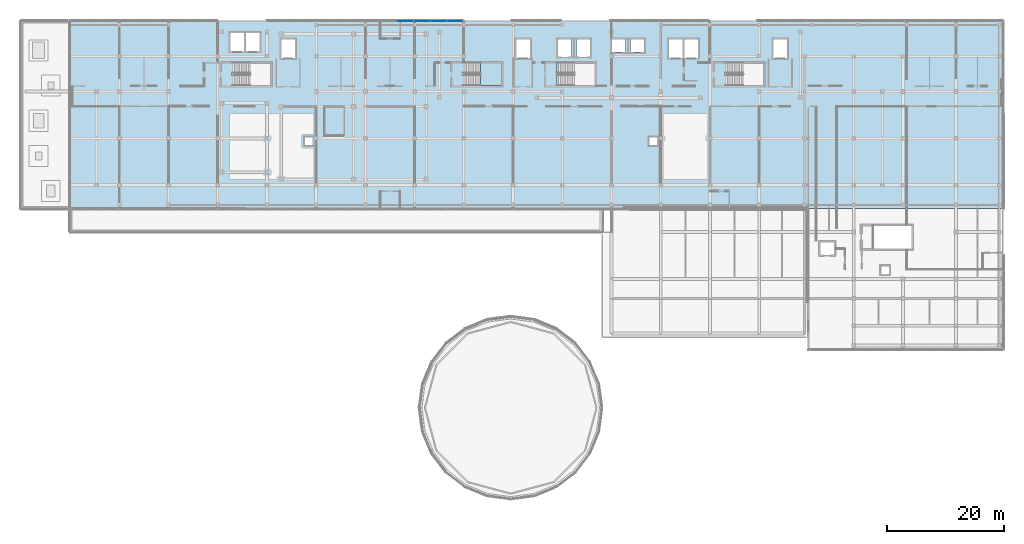
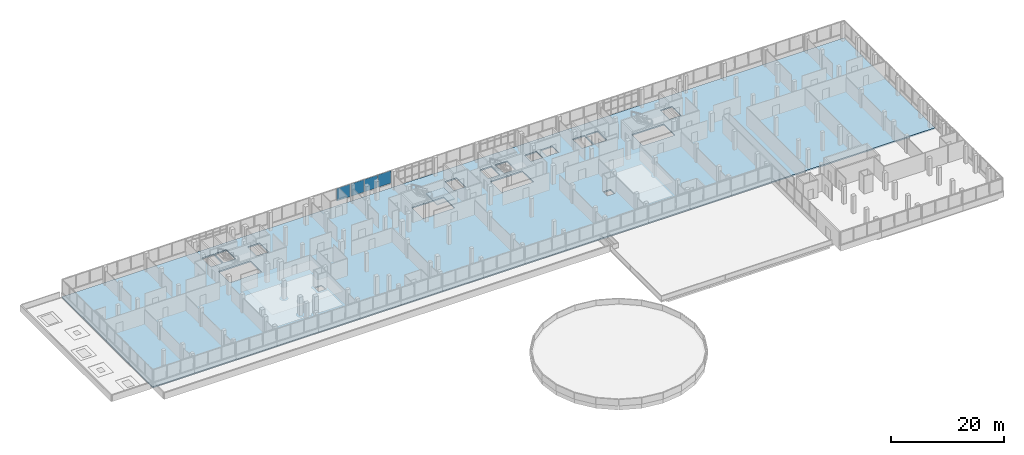
# One storey, part 61 of 78: 4 plates, 2 slabs, 3 elements without a shape of their own.
"""IFC4 building model written with IfcOpenShell, lengths in metres."""

from ifc_helpers import new_model, si_unit, direction, frame, origin, origin_2d, place, context, subcontext, project, spatial, polyline, rectangle, outline, extrude, material, layer, layer_set, type_object, element, aggregate, save


model = new_model("IFC4")

# Units and contexts
model_context = context("Model", 3, precision=1e-05, world=origin(), true_north=direction((0.0, 1.0)))
body_context = subcontext(model_context, "Body", "Model", "MODEL_VIEW")
ifc_project = project(units=[si_unit("LENGTHUNIT", "METRE"), si_unit("AREAUNIT", "SQUARE_METRE"), si_unit("VOLUMEUNIT", "CUBIC_METRE"), si_unit("PLANEANGLEUNIT", "RADIAN"), si_unit("MASSUNIT", "GRAM", prefix="KILO")], contexts=[model_context])

# Site, building, storey
site_placement = place(None, origin())
site = spatial("IfcSite", under=ifc_project, at=site_placement, CompositionType="ELEMENT")
building_placement = place(site_placement, origin())
building = spatial("IfcBuilding", under=site, at=building_placement, Name="Selatvlak General Hospital", CompositionType="ELEMENT")
storey_placement = place(building_placement, frame((0.0, 0.0, 23.25)))
storey = spatial("IfcBuildingStorey", under=building, at=storey_placement, Name="L05", CompositionType="ELEMENT", Elevation=23.25)

# Curtain wall, plate
ifc_material_1 = material(Name="Solar-control Low-E double glazing", Category="glass")
curtain_wall_type_1 = type_object("IfcCurtainWallType", Name="CW-CW-01", PredefinedType="USERDEFINED", material=ifc_material_1)
curtain_wall_1_placement = place(storey_placement, origin())
curtain_wall_1 = element("IfcCurtainWall", 1, at=curtain_wall_1_placement, inside=storey, type_object=curtain_wall_type_1, Name="Glazed facade curtain wall CW-L05-0553", ObjectType="UNITISED CURTAIN WALL", PredefinedType="USERDEFINED")
ifc_layer_1 = layer(ifc_material_1, 0.028076171875, Name="Solar-control Low-E double glazing", Category="glass")
ifc_layer_set_1 = layer_set([ifc_layer_1], Name="Solar-control Low-E double glazing")
plate_type = type_object("IfcPlateType", Name="CWP-01", PredefinedType="CURTAIN_PANEL", material=ifc_layer_set_1)
plate_1_placement = place(storey_placement, frame((80.03759765625, 119.9990234375, 1.0048828125), z_axis=(0.0, 0.0, 1.0), x_axis=(1.0, 0.0, 0.0)))
plate_1 = element("IfcPlate", 2, at=plate_1_placement, type_object=plate_type, Name="CW-01 panel 3.1", PredefinedType="CURTAIN_PANEL", context=body_context, shape_type="SweptSolid", body=[
    extrude(rectangle(XDim=2.6689453125, YDim=0.028076171875, at=origin_2d()), origin(), (0.0, 0.0, 1.0), 2.705078125),
])
aggregate(curtain_wall_1, [plate_1])

# Curtain wall, plates
curtain_wall_type_2 = type_object("IfcCurtainWallType", Name="CW-CW-02", PredefinedType="USERDEFINED", material=ifc_material_1)
curtain_wall_2_placement = place(storey_placement, origin())
curtain_wall_2 = element("IfcCurtainWall", 3, at=curtain_wall_2_placement, inside=storey, type_object=curtain_wall_type_2, Name="Glazed facade curtain wall CW-L05-0554", ObjectType="UNITISED CURTAIN WALL", PredefinedType="USERDEFINED")
plate_2_placement = place(storey_placement, frame((82.91650390625, 119.9990234375, 1.0048828125), z_axis=(0.0, 0.0, 1.0), x_axis=(1.0, 0.0, 0.0)))
plate_2 = element("IfcPlate", 4, at=plate_2_placement, type_object=plate_type, Name="CW-02 panel 1.1", PredefinedType="CURTAIN_PANEL", context=body_context, shape_type="SweptSolid", body=[
    extrude(rectangle(XDim=2.6689453125, YDim=0.028076171875, at=origin_2d()), origin(), (0.0, 0.0, 1.0), 2.705078125),
])
plate_3_placement = place(storey_placement, frame((85.66650390625, 119.9990234375, 1.0048828125), z_axis=(0.0, 0.0, 1.0), x_axis=(1.0, 0.0, 0.0)))
plate_3 = element("IfcPlate", 5, at=plate_3_placement, type_object=plate_type, Name="CW-02 panel 2.1", PredefinedType="CURTAIN_PANEL", context=body_context, shape_type="SweptSolid", body=[
    extrude(rectangle(XDim=2.701416015625, YDim=0.028076171875, at=origin_2d()), origin(), (0.0, 0.0, 1.0), 2.705078125),
])
plate_4_placement = place(storey_placement, frame((88.41650390625, 119.9990234375, 1.0048828125), z_axis=(0.0, 0.0, 1.0), x_axis=(1.0, 0.0, 0.0)))
plate_4 = element("IfcPlate", 6, at=plate_4_placement, type_object=plate_type, Name="CW-02 panel 3.1", PredefinedType="CURTAIN_PANEL", context=body_context, shape_type="SweptSolid", body=[
    extrude(rectangle(XDim=2.6689453125, YDim=0.028076171875, at=origin_2d()), origin(), (0.0, 0.0, 1.0), 2.705078125),
])
aggregate(curtain_wall_2, [plate_2, plate_3, plate_4])

# Stair, slab
ifc_material_2 = material(Name="Precast concrete C40/50", Category="concrete")
stair_type = type_object("IfcStairType", Name="STAIR-ST-02", PredefinedType="HALF_TURN_STAIR", material=ifc_material_2)
stair_placement = place(storey_placement, origin())
stair = element("IfcStair", 7, at=stair_placement, inside=storey, type_object=stair_type, Name="L05 Protected exit stair ST-02", PredefinedType="HALF_TURN_STAIR")
ifc_material_3 = material(Name="Concrete C40/50", Category="concrete")
ifc_layer_2 = layer(ifc_material_3, 0.199951171875, Name="Concrete C40/50", Category="concrete")
ifc_layer_set_2 = layer_set([ifc_layer_2], Name="Concrete C40/50")
slab_type_1 = type_object("IfcSlabType", Name="SLAB-LND1", PredefinedType="LANDING", material=ifc_layer_set_2)
slab_1_placement = place(storey_placement, frame((0.0, 0.0, 1.824951171875)))
slab_1 = element("IfcSlab", 8, at=slab_1_placement, type_object=slab_type_1, Name="ST-02 landing 1", PredefinedType="LANDING", context=body_context, shape_type="SweptSolid", body=[
    extrude(outline(polyline([(92.81494140625, 109.0), (96.39990234375, 109.0), (96.39990234375, 112.93994140625), (92.81494140625, 112.93994140625), (92.81494140625, 109.0)])), origin(), (0.0, 0.0, 1.0), 0.199951171875),
])
aggregate(stair, [slab_1])

# Slab
ifc_layer_3 = layer(ifc_material_3, 0.280029296875, Name="Concrete C40/50", Category="concrete")
ifc_layer_set_3 = layer_set([ifc_layer_3], Name="Concrete C40/50")
slab_type_2 = type_object("IfcSlabType", Name="SLAB-SL-FL5", PredefinedType="FLOOR", material=ifc_layer_set_3)
slab_2_placement = place(storey_placement, frame((0.0, 0.0, -0.280029296875)))
element("IfcSlab", 9, at=slab_2_placement, inside=storey, type_object=slab_type_2, Name="L05 V5N structural slab", PredefinedType="FLOOR", context=body_context, shape_type="SweptSolid", body=[
    extrude(outline(polyline([(22.800048828125, 88.0), (22.800048828125, 120.0), (182.0, 120.0), (182.0, 88.0), (22.800048828125, 88.0)]), holes=[polyline([(57.050048828125, 109.0), (57.050048828125, 112.93994140625), (50.554931640625, 112.93994140625), (50.554931640625, 109.0), (57.050048828125, 109.0)]), polyline([(89.905029296875, 109.0), (96.39990234375, 109.0), (96.39990234375, 112.93994140625), (89.905029296875, 112.93994140625), (89.905029296875, 109.0)]), polyline([(105.905029296875, 112.93994140625), (105.905029296875, 109.0), (112.39990234375, 109.0), (112.39990234375, 112.93994140625), (105.905029296875, 112.93994140625)]), polyline([(141.199951171875, 112.93994140625), (134.705078125, 112.93994140625), (134.705078125, 109.0), (141.199951171875, 109.0), (141.199951171875, 112.93994140625)]), polyline([(61.199951171875, 116.89990234375), (58.800048828125, 116.89990234375), (58.800048828125, 113.699951171875), (61.199951171875, 113.699951171875), (61.199951171875, 116.89990234375)]), polyline([(101.300048828125, 113.699951171875), (101.300048828125, 116.89990234375), (98.89990234375, 116.89990234375), (98.89990234375, 113.699951171875), (101.300048828125, 113.699951171875)]), polyline([(142.800048828125, 113.699951171875), (145.199951171875, 113.699951171875), (145.199951171875, 116.89990234375), (142.800048828125, 116.89990234375), (142.800048828125, 113.699951171875)]), polyline([(50.10009765625, 118.0), (50.10009765625, 114.800048828125), (52.5, 114.800048828125), (52.5, 118.0), (50.10009765625, 118.0)]), polyline([(55.14990234375, 118.0), (52.75, 118.0), (52.75, 114.800048828125), (55.14990234375, 114.800048828125), (55.14990234375, 118.0)]), polyline([(127.35009765625, 113.699951171875), (127.35009765625, 116.89990234375), (124.949951171875, 116.89990234375), (124.949951171875, 113.699951171875), (127.35009765625, 113.699951171875)]), polyline([(127.60009765625, 113.699951171875), (130.0, 113.699951171875), (130.0, 116.89990234375), (127.60009765625, 116.89990234375), (127.60009765625, 113.699951171875)]), polyline([(115.199951171875, 116.89990234375), (115.199951171875, 114.699951171875), (117.60009765625, 114.699951171875), (117.60009765625, 116.89990234375), (115.199951171875, 116.89990234375)]), polyline([(120.800048828125, 116.89990234375), (118.39990234375, 116.89990234375), (118.39990234375, 114.699951171875), (120.800048828125, 114.699951171875), (120.800048828125, 116.89990234375)]), polyline([(108.39990234375, 113.89990234375), (108.39990234375, 116.89990234375), (106.0, 116.89990234375), (106.0, 113.89990234375), (108.39990234375, 113.89990234375)]), polyline([(109.199951171875, 113.89990234375), (111.60009765625, 113.89990234375), (111.60009765625, 116.89990234375), (109.199951171875, 116.89990234375), (109.199951171875, 113.89990234375)]), polyline([(62.800048828125, 100.199951171875), (62.800048828125, 98.800048828125), (64.199951171875, 98.800048828125), (64.199951171875, 100.199951171875), (62.800048828125, 100.199951171875)]), polyline([(123.0, 100.199951171875), (121.60009765625, 100.199951171875), (121.60009765625, 98.800048828125), (123.0, 98.800048828125), (123.0, 100.199951171875)])]), origin(), (0.0, 0.0, 1.0), 0.280029296875),
])

save(model, "model.ifc")
